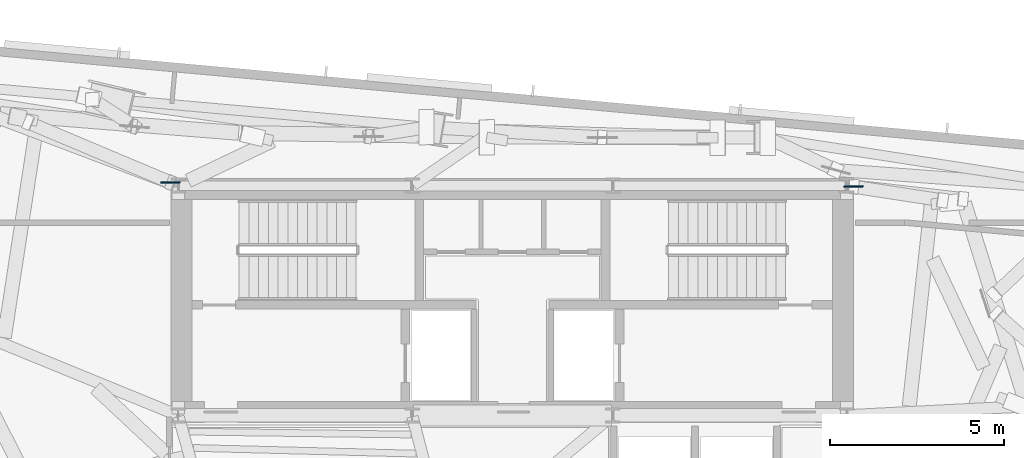
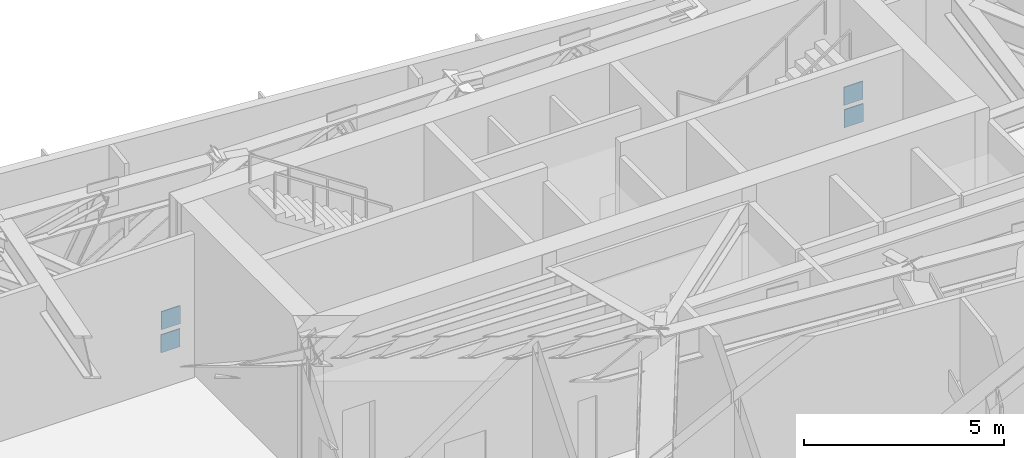
# One storey, part 7 of 9: 4 discrete accessories.
"""IFC4 building model written with IfcOpenShell, lengths in metres."""

import ifcopenshell
import ifcopenshell.guid

model = None  # the IFC model being written
_history = None  # IfcOwnerHistory: only IFC2X3 demands one
_inside = {}  # id of a spatial element -> (the spatial element, [elements in it])
_under = {}  # id of a project, library or spatial element -> (it, [spatial elements below it])
_declared = {}  # id of a project -> (the project, [libraries it declares])
_typed = {}  # id of a type object -> (the type object, [elements of that type])
_made_of = {}  # id of a material, layer set ... -> (it, [elements and type objects made of it])


def new_model(schema):
    """Start an empty IFC model of exactly this schema.

    Asked for "IFC4X3", IfcOpenShell would pick the latest addendum, in which some entities
    have other attributes; the version numbers below select the first issue.
    IFC2X3 requires an IfcOwnerHistory on every rooted entity: one is made here for all.
    """
    global model, _history
    if schema == "IFC4X3":
        model = ifcopenshell.file(schema_version=(4, 3, 0, 0))
    else:
        model = ifcopenshell.file(schema=schema)
    _inside.clear()
    _under.clear()
    _declared.clear()
    _typed.clear()
    _made_of.clear()
    _history = None
    if model.schema == "IFC2X3":
        org = make("IfcOrganization", Name="unknown")
        user = make(
            "IfcPersonAndOrganization",
            ThePerson=make("IfcPerson", FamilyName="unknown"),
            TheOrganization=org,
        )
        app = make(
            "IfcApplication",
            ApplicationDeveloper=org,
            Version="unknown",
            ApplicationFullName="unknown",
            ApplicationIdentifier="unknown",
        )
        _history = make(
            "IfcOwnerHistory",
            OwningUser=user,
            OwningApplication=app,
            ChangeAction="ADDED",
            CreationDate=0,
        )
    return model


def make(cls, **values):
    """One entity of the class cls with the attributes given. An attribute that is None is left unset."""
    return model.create_entity(
        cls, **{name: value for name, value in values.items() if value is not None}
    )


def rooted(cls, **values):
    """An entity with a GlobalId (a new one), such as an element, a storey or a relation."""
    return make(cls, GlobalId=ifcopenshell.guid.new(), OwnerHistory=_history, **values)


def si_unit(unit_type, name, prefix=None):
    """IfcSIUnit, for example si_unit("LENGTHUNIT", "METRE", prefix="MILLI")."""
    return make("IfcSIUnit", UnitType=unit_type, Prefix=prefix, Name=name)


def assignment(units):
    """IfcUnitAssignment: the units of a project."""
    return None if units is None else make("IfcUnitAssignment", Units=units)


def point(xyz):
    """IfcCartesianPoint."""
    return None if xyz is None else make("IfcCartesianPoint", Coordinates=xyz)


def direction(xyz):
    """IfcDirection."""
    return None if xyz is None else make("IfcDirection", DirectionRatios=xyz)


def frame(location, z_axis=None, x_axis=None):
    """IfcAxis2Placement3D, a coordinate frame: its origin and axes. An axis left out is left unset."""
    return make(
        "IfcAxis2Placement3D",
        Location=point(location),
        Axis=direction(z_axis),
        RefDirection=direction(x_axis),
    )


def frame_2d(location, x_axis=None):
    """IfcAxis2Placement2D, a coordinate frame in the plane: its origin and x axis."""
    return make(
        "IfcAxis2Placement2D", Location=point(location), RefDirection=direction(x_axis)
    )


def origin():
    """The frame at (0, 0, 0) with its axes left unset."""
    return frame((0.0, 0.0, 0.0))


def origin_2d():
    """The frame at (0, 0) in the plane with its x axis left unset."""
    return frame_2d((0.0, 0.0))


def place(relative_to, where):
    """IfcLocalPlacement: puts the frame where relative to a parent placement (None: the world)."""
    return make(
        "IfcLocalPlacement", PlacementRelTo=relative_to, RelativePlacement=where
    )


def context(
    kind, dimensions, precision=None, world=None, true_north=None, identifier=None
):
    """IfcGeometricRepresentationContext, for example the 3D "Model" context."""
    return make(
        "IfcGeometricRepresentationContext",
        ContextIdentifier=identifier,
        ContextType=kind,
        CoordinateSpaceDimension=dimensions,
        Precision=precision,
        WorldCoordinateSystem=world,
        TrueNorth=true_north,
    )


def subcontext(parent, identifier, kind, view, scale=None):
    """IfcGeometricRepresentationSubContext, for example "Body" below "Model"."""
    return make(
        "IfcGeometricRepresentationSubContext",
        ContextIdentifier=identifier,
        ContextType=kind,
        ParentContext=parent,
        TargetScale=scale,
        TargetView=view,
    )


def project(units=None, contexts=None):
    """IfcProject with its units and contexts."""
    return rooted(
        "IfcProject",
        Name="project",
        RepresentationContexts=contexts,
        UnitsInContext=assignment(units),
    )


def spatial(cls, under=None, at=None, **own):
    """A site, building, storey or space (cls), placed at a placement, below another one or the project."""
    s = rooted(cls, ObjectPlacement=at, **own)
    if under is not None:
        _under.setdefault(under.id(), (under, []))[1].append(s)
    return s


def profile(cls, at=None, kind="AREA", **sizes):
    """A parametric profile (cls). Its sizes go by their IFC names, for example OverallWidth=200.0."""
    return make(cls, ProfileType=kind, Position=at, **sizes)


def rectangle(**sizes):
    """IfcRectangleProfileDef."""
    return profile("IfcRectangleProfileDef", **sizes)


def extrude(swept, where, along, depth):
    """IfcExtrudedAreaSolid: the profile swept, set in the frame where, extruded along a direction by depth."""
    return make(
        "IfcExtrudedAreaSolid",
        SweptArea=swept,
        Position=where,
        ExtrudedDirection=direction(along),
        Depth=depth,
    )


def shape(context_of_items, identifier, shape_type, items):
    """IfcShapeRepresentation: the items that make up one representation, for example the "Body"."""
    return make(
        "IfcShapeRepresentation",
        ContextOfItems=context_of_items,
        RepresentationIdentifier=identifier,
        RepresentationType=shape_type,
        Items=items,
    )


def source(mapping_origin, context_of_items, identifier, shape_type, items):
    """IfcRepresentationMap: a shape defined once, which mapped items show again and again."""
    return make(
        "IfcRepresentationMap",
        MappingOrigin=mapping_origin,
        MappedRepresentation=shape(context_of_items, identifier, shape_type, items),
    )


def transform(
    local_origin,
    x_axis=None,
    y_axis=None,
    z_axis=None,
    scale=None,
    scale2=None,
    scale3=None,
    uniform=True,
):
    """IfcCartesianTransformationOperator3D, or its non-uniform kind. x_axis, y_axis, z_axis: its Axis1, 2, 3."""
    if uniform:
        return make(
            "IfcCartesianTransformationOperator3D",
            Axis1=direction(x_axis),
            Axis2=direction(y_axis),
            LocalOrigin=point(local_origin),
            Scale=scale,
            Axis3=direction(z_axis),
        )
    return make(
        "IfcCartesianTransformationOperator3DnonUniform",
        Axis1=direction(x_axis),
        Axis2=direction(y_axis),
        LocalOrigin=point(local_origin),
        Scale=scale,
        Axis3=direction(z_axis),
        Scale2=scale2,
        Scale3=scale3,
    )


def mapped(mapping_source, mapping_target):
    """IfcMappedItem: shows the shape of a source again, moved by a transform."""
    return make(
        "IfcMappedItem", MappingSource=mapping_source, MappingTarget=mapping_target
    )


def material(Name=None, Category=None):
    """IfcMaterial."""
    return make("IfcMaterial", Name=Name, Category=Category)


def made_of(thing, what):
    """Note that an element or type object is made of a material, layer set ...; save() writes the relation."""
    if what is not None:
        _made_of.setdefault(what.id(), (what, []))[1].append(thing)
    return thing


def type_object(cls, material=None, **own):
    """A type object (cls), such as IfcWallType, which elements share."""
    return made_of(rooted(cls, **own), material)


def type_shapes(of_type, sources):
    """Give a type object the sources (RepresentationMaps) that its elements show as mapped items."""
    of_type.RepresentationMaps = sources


def element(
    cls,
    number,
    at=None,
    inside=None,
    cuts=None,
    type_object=None,
    material=None,
    context=None,
    identifier="Body",
    shape_type=None,
    held_by="IfcProductDefinitionShape",
    body=None,
    shapes=None,
    **own,
):
    """One element of the class cls, such as IfcWall. Its Tag is "e" and its number.

    at: its placement. inside: the storey or other place that contains it. cuts: it is an
    opening in that element (IfcRelVoidsElement). A single representation is given by context,
    identifier, shape_type and body (its items); several are given by shapes. held_by: the class
    of the entity that holds the representations. save() writes the other relations.
    """
    e = rooted(cls, Tag="e%d" % number, ObjectPlacement=at, **own)
    if body is not None:
        shapes = [shape(context, identifier, shape_type, body)]
    if shapes is not None:
        e.Representation = make(held_by, Representations=shapes)
    if inside is not None:
        _inside.setdefault(inside.id(), (inside, []))[1].append(e)
    if cuts is not None:
        rooted(
            "IfcRelVoidsElement", RelatingBuildingElement=cuts, RelatedOpeningElement=e
        )
    if type_object is not None:
        _typed.setdefault(type_object.id(), (type_object, []))[1].append(e)
    return made_of(e, material)


def aggregate(whole, parts):
    """IfcRelAggregates: a whole, such as a stair, and the parts it consists of."""
    return rooted("IfcRelAggregates", RelatingObject=whole, RelatedObjects=parts)


def save(model, path):
    """Write the relations noted so far, then the file.

    IfcRelAggregates (storeys below a building ...), IfcRelContainedInSpatialStructure (elements
    in a storey), IfcRelDefinesByType, IfcRelAssociatesMaterial and IfcRelDeclares: one each for
    every whole, place, type object, material and project.
    """
    for whole, parts in _under.values():
        aggregate(whole, parts)
    for where, things in _inside.values():
        rooted(
            "IfcRelContainedInSpatialStructure",
            RelatedElements=things,
            RelatingStructure=where,
        )
    for kind, things in _typed.values():
        rooted("IfcRelDefinesByType", RelatedObjects=things, RelatingType=kind)
    for what, things in _made_of.values():
        rooted("IfcRelAssociatesMaterial", RelatedObjects=things, RelatingMaterial=what)
    for by, libraries in _declared.values():
        rooted("IfcRelDeclares", RelatingContext=by, RelatedDefinitions=libraries)
    model.write(path)


model = new_model("IFC4")

# Units and contexts
model_context = context("Model", 3, precision=1e-05, world=origin(), true_north=direction((0.0, 1.0)))
body_context = subcontext(model_context, "Body", "Model", "MODEL_VIEW")
ifc_project = project(units=[si_unit("LENGTHUNIT", "METRE"), si_unit("AREAUNIT", "SQUARE_METRE"), si_unit("VOLUMEUNIT", "CUBIC_METRE"), si_unit("PLANEANGLEUNIT", "RADIAN"), si_unit("MASSUNIT", "GRAM", prefix="KILO")], contexts=[model_context])

# Site, building, storey
site_placement = place(None, origin())
site = spatial("IfcSite", under=ifc_project, at=site_placement, CompositionType="ELEMENT")
building_placement = place(site_placement, origin())
building = spatial("IfcBuilding", under=site, at=building_placement, Name="Astriad Promenade Condominiums", CompositionType="ELEMENT")
storey_placement = place(building_placement, frame((0.0, 0.0, 259.5)))
storey = spatial("IfcBuildingStorey", under=building, at=storey_placement, Name="L75", CompositionType="ELEMENT", Elevation=259.5)

# Discrete accessories
ifc_material = material(Name="Steel ASTM A572 Grade 50", Category="steel")
discrete_accessory_type = type_object("IfcDiscreteAccessoryType", Name="CAST IN CORE WALL EMBED PLATE 30", PredefinedType="USERDEFINED", material=ifc_material)
shared_shape = source(origin(), body_context, "Body", "SweptSolid", [
    extrude(rectangle(XDim=0.550048828125, YDim=0.030029296875, at=origin_2d()), origin(), (0.0, 0.0, 1.0), 0.550048828125),
])
type_shapes(discrete_accessory_type, [shared_shape])
for number, where, z_axis, x_axis, name in (
    (1, (26.169677734375, 24.087158203125, 0.09814453125), (0.0, 0.0, 1.0), (1.0, 0.0, 0.0), "Cast-In Core Wall Embed Plate EP-OUT-L75-01A"),
    (2, (26.181640625, 24.091796875, 0.79443359375), (0.0, 0.0, 1.0), (1.0, 0.0, 0.0), "Cast-In Core Wall Embed Plate EP-OUT-L75-01B"),
    (3, (45.8076171875, 23.97607421875, 0.1513671875), (0.0, 0.0, 1.0), (1.0, 0.0, 0.0), "Cast-In Core Wall Embed Plate EP-OUT-L75-02A"),
    (4, (45.793212890625, 23.97021484375, 0.84521484375), (0.0, 0.0, 1.0), (1.0, 0.0, 0.0), "Cast-In Core Wall Embed Plate EP-OUT-L75-02B"),
):
    element("IfcDiscreteAccessory", number, at=place(storey_placement, frame(where, z_axis=z_axis, x_axis=x_axis)), inside=storey, type_object=discrete_accessory_type, Name=name, ObjectType="EMBED_PLATE", PredefinedType="USERDEFINED", context=body_context, shape_type="MappedRepresentation", body=[
        mapped(shared_shape, transform((0.0, 0.0, 0.0), scale=1.0)),
    ])

save(model, "model.ifc")
